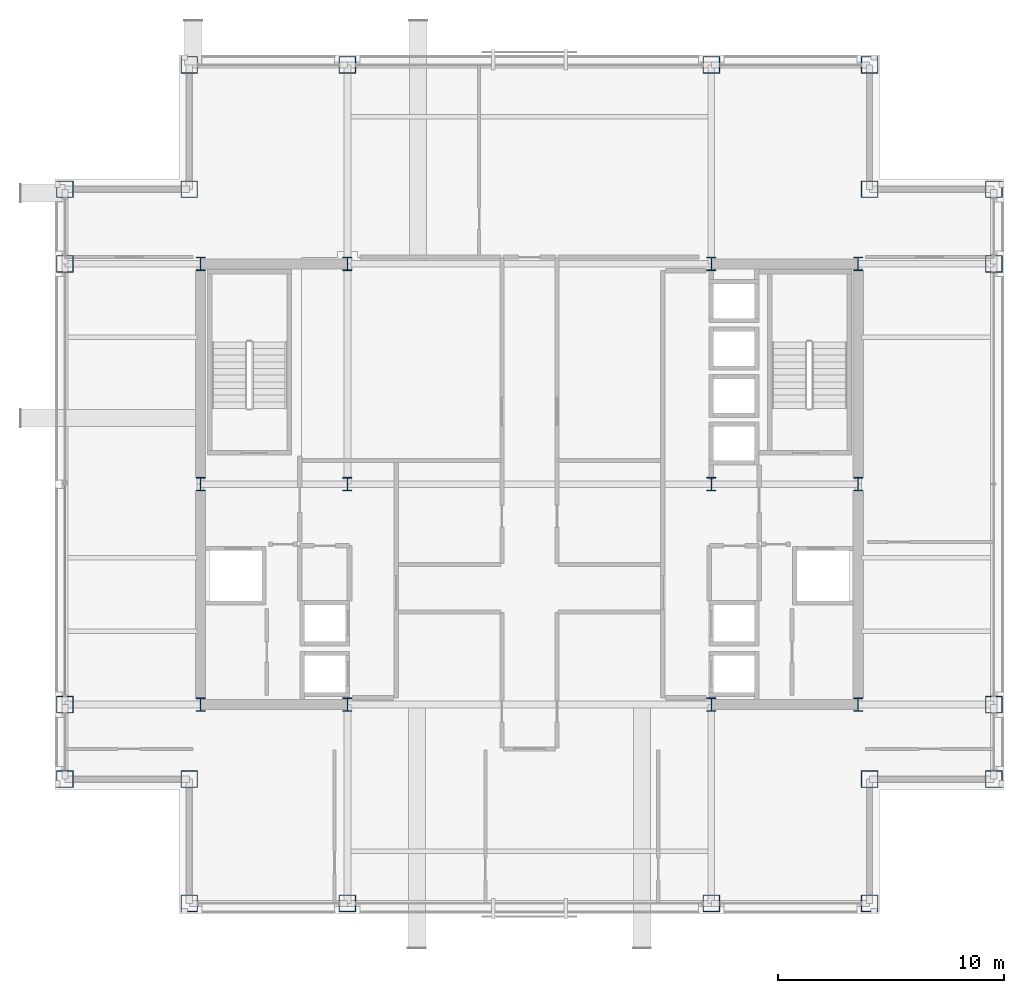
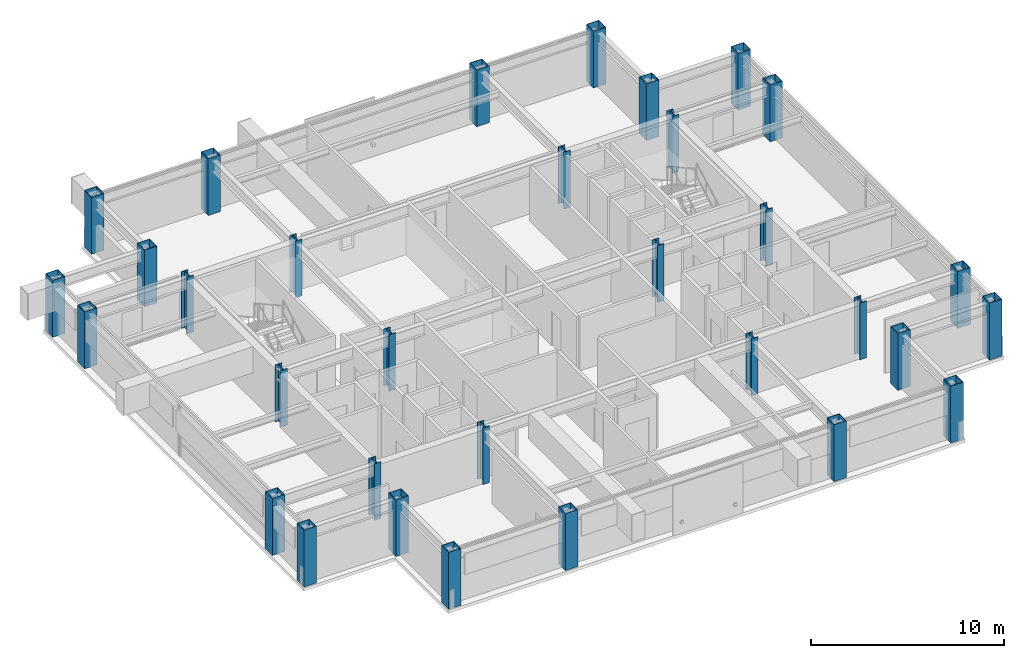
# One storey, part 1 of 28: 32 columns.
"""IFC4 building model written with IfcOpenShell, lengths in metres."""

from ifc_helpers import new_model, si_unit, direction, frame, origin, origin_2d, place, context, subcontext, project, spatial, hollow_rectangle, i_section, extrude, material, material_profile, profile_set, type_object, element, save


model = new_model("IFC4")

# Units and contexts
model_context = context("Model", 3, precision=1e-05, world=origin(), true_north=direction((0.0, 1.0)))
body_context = subcontext(model_context, "Body", "Model", "MODEL_VIEW")
ifc_project = project(units=[si_unit("LENGTHUNIT", "METRE"), si_unit("AREAUNIT", "SQUARE_METRE"), si_unit("VOLUMEUNIT", "CUBIC_METRE"), si_unit("PLANEANGLEUNIT", "RADIAN"), si_unit("MASSUNIT", "GRAM", prefix="KILO")], contexts=[model_context])

# Site, building, storey
site_placement = place(None, origin())
site = spatial("IfcSite", under=ifc_project, at=site_placement, CompositionType="ELEMENT")
building_placement = place(site_placement, origin())
building = spatial("IfcBuilding", under=site, at=building_placement, Name="Brelmoor Portico Tower", CompositionType="ELEMENT")
storey_placement = place(building_placement, frame((0.0, 0.0, 155.10009765625)))
storey = spatial("IfcBuildingStorey", under=building, at=storey_placement, Name="L40", CompositionType="ELEMENT", Elevation=155.10009765625)

# Columns
ifc_material = material(Name="Steel Q355B", Category="steel")
ifc_material_profile_1 = material_profile(ifc_material, hollow_rectangle(XDim=0.75, YDim=0.75, WallThickness=0.031982421875, at=origin_2d()), Name="BOX 750x750x32")
ifc_profile_set_1 = profile_set([ifc_material_profile_1], Name="Steel Q355B")
column_type_1 = type_object("IfcColumnType", Name="COL-MEGA-750", PredefinedType="COLUMN", material=ifc_profile_set_1)
for number, where, z_axis, x_axis, name in (
    (1, (-15.050048828125, -18.550048828125, 0.0), (0.0, 0.0, 1.0), (1.0, 0.0, 0.0), "L40 Perimeter Mega-Column PS01"),
    (2, (-8.050048828125, -18.550048828125, 0.0), (0.0, 0.0, 1.0), (1.0, 0.0, 0.0), "L40 Perimeter Mega-Column PS02"),
    (3, (8.050048828125, -18.550048828125, 0.0), (0.0, 0.0, 1.0), (1.0, 0.0, 0.0), "L40 Perimeter Mega-Column PS03"),
    (4, (15.050048828125, -18.550048828125, 0.0), (0.0, 0.0, 1.0), (1.0, 0.0, 0.0), "L40 Perimeter Mega-Column PS04"),
    (5, (-15.050048828125, 18.550048828125, 0.0), (0.0, 0.0, 1.0), (1.0, 0.0, 0.0), "L40 Perimeter Mega-Column PN01"),
    (6, (-8.050048828125, 18.550048828125, 0.0), (0.0, 0.0, 1.0), (1.0, 0.0, 0.0), "L40 Perimeter Mega-Column PN02"),
    (7, (8.050048828125, 18.550048828125, 0.0), (0.0, 0.0, 1.0), (1.0, 0.0, 0.0), "L40 Perimeter Mega-Column PN03"),
    (8, (15.050048828125, 18.550048828125, 0.0), (0.0, 0.0, 1.0), (1.0, 0.0, 0.0), "L40 Perimeter Mega-Column PN04"),
    (9, (-20.550048828125, -13.050048828125, 0.0), (0.0, 0.0, 1.0), (0.0, 1.0, 0.0), "L40 Perimeter Mega-Column PW01"),
    (10, (-20.550048828125, -9.75, 0.0), (0.0, 0.0, 1.0), (0.0, 1.0, 0.0), "L40 Perimeter Mega-Column PW02"),
    (11, (-20.550048828125, 9.75, 0.0), (0.0, 0.0, 1.0), (0.0, 1.0, 0.0), "L40 Perimeter Mega-Column PW03"),
    (12, (-20.550048828125, 13.050048828125, 0.0), (0.0, 0.0, 1.0), (0.0, 1.0, 0.0), "L40 Perimeter Mega-Column PW04"),
    (13, (20.550048828125, -13.050048828125, 0.0), (0.0, 0.0, 1.0), (0.0, 1.0, 0.0), "L40 Perimeter Mega-Column PE01"),
    (14, (20.550048828125, -9.75, 0.0), (0.0, 0.0, 1.0), (0.0, 1.0, 0.0), "L40 Perimeter Mega-Column PE02"),
    (15, (20.550048828125, 9.75, 0.0), (0.0, 0.0, 1.0), (0.0, 1.0, 0.0), "L40 Perimeter Mega-Column PE03"),
    (16, (20.550048828125, 13.050048828125, 0.0), (0.0, 0.0, 1.0), (0.0, 1.0, 0.0), "L40 Perimeter Mega-Column PE04"),
    (17, (-15.050048828125, 13.050048828125, 0.0), (0.0, 0.0, 1.0), (1.0, 0.0, 0.0), "L40 Perimeter Mega-Column PC-NW"),
    (18, (15.050048828125, 13.050048828125, 0.0), (0.0, 0.0, 1.0), (1.0, 0.0, 0.0), "L40 Perimeter Mega-Column PC-NE"),
    (19, (15.050048828125, -13.050048828125, 0.0), (0.0, 0.0, 1.0), (1.0, 0.0, 0.0), "L40 Perimeter Mega-Column PC-SE"),
    (20, (-15.050048828125, -13.050048828125, 0.0), (0.0, 0.0, 1.0), (1.0, 0.0, 0.0), "L40 Perimeter Mega-Column PC-SW"),
):
    element("IfcColumn", number, at=place(storey_placement, frame(where, z_axis=z_axis, x_axis=x_axis)), inside=storey, type_object=column_type_1, Name=name, PredefinedType="COLUMN", context=body_context, shape_type="SweptSolid", body=[
        extrude(hollow_rectangle(XDim=0.75, YDim=0.75, WallThickness=0.031982421875, at=origin_2d()), origin(), (0.0, 0.0, 1.0), 3.599853515625),
    ])
ifc_material_profile_2 = material_profile(ifc_material, i_section(OverallWidth=0.39990234375, OverallDepth=0.60009765625, WebThickness=0.02197265625, FlangeThickness=0.035888671875, at=origin_2d()), Name="HW 600x400x22x36")
ifc_profile_set_2 = profile_set([ifc_material_profile_2], Name="Steel Q355B")
column_type_2 = type_object("IfcColumnType", Name="COL-SPINE-600", PredefinedType="COLUMN", material=ifc_profile_set_2)
for number, where, z_axis, x_axis, name in (
    (21, (-14.550048828125, -9.75, 0.0), (0.0, 0.0, 1.0), (1.0, 0.0, 0.0), "L40 Core Spine Column CW-SW"),
    (22, (-14.550048828125, 0.0, 0.0), (0.0, 0.0, 1.0), (1.0, 0.0, 0.0), "L40 Core Spine Column CW-MW"),
    (23, (-14.550048828125, 9.75, 0.0), (0.0, 0.0, 1.0), (1.0, 0.0, 0.0), "L40 Core Spine Column CW-NW"),
    (24, (-8.050048828125, -9.75, 0.0), (0.0, 0.0, 1.0), (1.0, 0.0, 0.0), "L40 Core Spine Column CW-SE"),
    (25, (-8.050048828125, 0.0, 0.0), (0.0, 0.0, 1.0), (1.0, 0.0, 0.0), "L40 Core Spine Column CW-ME"),
    (26, (-8.050048828125, 9.75, 0.0), (0.0, 0.0, 1.0), (1.0, 0.0, 0.0), "L40 Core Spine Column CW-NE"),
    (27, (8.050048828125, -9.75, 0.0), (0.0, 0.0, 1.0), (1.0, 0.0, 0.0), "L40 Core Spine Column CE-SW"),
    (28, (8.050048828125, 0.0, 0.0), (0.0, 0.0, 1.0), (1.0, 0.0, 0.0), "L40 Core Spine Column CE-MW"),
    (29, (8.050048828125, 9.75, 0.0), (0.0, 0.0, 1.0), (1.0, 0.0, 0.0), "L40 Core Spine Column CE-NW"),
    (30, (14.550048828125, -9.75, 0.0), (0.0, 0.0, 1.0), (1.0, 0.0, 0.0), "L40 Core Spine Column CE-SE"),
    (31, (14.550048828125, 0.0, 0.0), (0.0, 0.0, 1.0), (1.0, 0.0, 0.0), "L40 Core Spine Column CE-ME"),
    (32, (14.550048828125, 9.75, 0.0), (0.0, 0.0, 1.0), (1.0, 0.0, 0.0), "L40 Core Spine Column CE-NE"),
):
    element("IfcColumn", number, at=place(storey_placement, frame(where, z_axis=z_axis, x_axis=x_axis)), inside=storey, type_object=column_type_2, Name=name, PredefinedType="COLUMN", context=body_context, shape_type="SweptSolid", body=[
        extrude(i_section(OverallWidth=0.39990234375, OverallDepth=0.60009765625, WebThickness=0.02197265625, FlangeThickness=0.035888671875, at=origin_2d()), origin(), (0.0, 0.0, 1.0), 3.599853515625),
    ])

save(model, "model.ifc")
